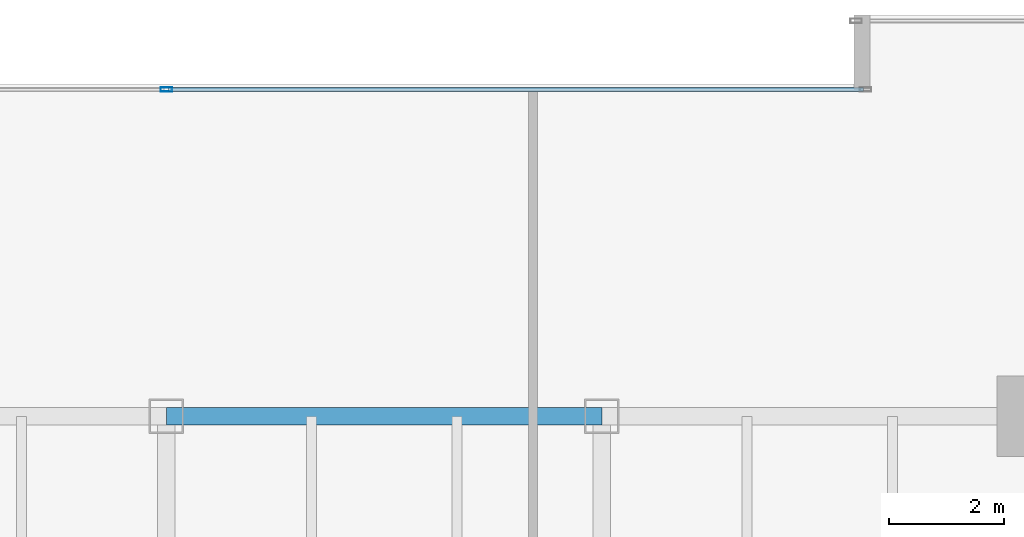
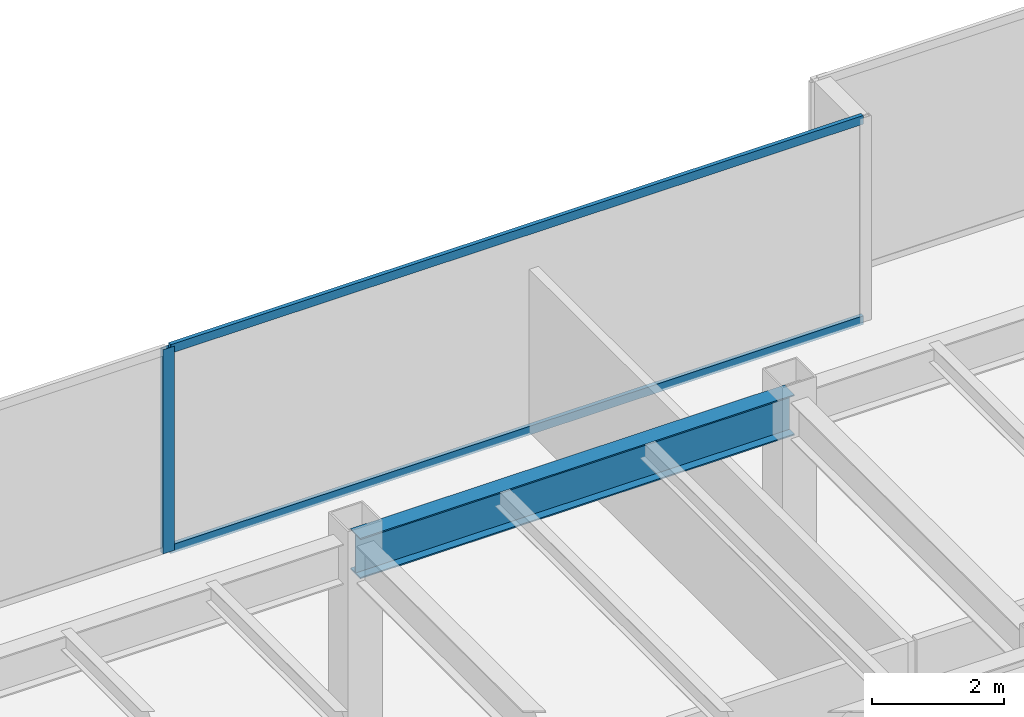
# One storey, part 18 of 35: 3 members, 1 beam, 1 element without a shape of its own.
"""IFC4 building model written with IfcOpenShell, lengths in metres."""

from ifc_helpers import new_model, si_unit, direction, frame, origin, origin_2d, place, context, subcontext, project, spatial, hollow_rectangle, i_section, extrude, source, transform, mapped, material, layer, layer_set, material_profile, profile_set, type_object, type_shapes, element, aggregate, save


model = new_model("IFC4")

# Units and contexts
model_context = context("Model", 3, precision=1e-05, world=origin(), true_north=direction((0.0, 1.0)))
body_context = subcontext(model_context, "Body", "Model", "MODEL_VIEW")
ifc_project = project(units=[si_unit("LENGTHUNIT", "METRE"), si_unit("AREAUNIT", "SQUARE_METRE"), si_unit("VOLUMEUNIT", "CUBIC_METRE"), si_unit("PLANEANGLEUNIT", "RADIAN"), si_unit("MASSUNIT", "GRAM", prefix="KILO")], contexts=[model_context])

# Site, building, storey
site_placement = place(None, origin())
site = spatial("IfcSite", under=ifc_project, at=site_placement, CompositionType="ELEMENT")
building_placement = place(site_placement, origin())
building = spatial("IfcBuilding", under=site, at=building_placement, Name="Haelvirn Gate Laboratories", CompositionType="ELEMENT")
storey_placement = place(building_placement, frame((0.0, 0.0, 41.60009765625)))
storey = spatial("IfcBuildingStorey", under=building, at=storey_placement, Name="L10", CompositionType="ELEMENT", Elevation=41.60009765625)

# Beam
ifc_material_1 = material(Name="Steel SM355", Category="steel")
ifc_material_profile_1 = material_profile(ifc_material_1, i_section(OverallWidth=0.300048828125, OverallDepth=0.75, WebThickness=0.013916015625, FlangeThickness=0.02392578125, at=origin_2d()), Name="H-750x300x14x24")
ifc_profile_set_1 = profile_set([ifc_material_profile_1], Name="Steel SM355")
beam_type = type_object("IfcBeamType", Name="BM-G-750", PredefinedType="BEAM", material=ifc_profile_set_1)
shared_shape_1 = source(origin(), body_context, "Body", "SweptSolid", [
    extrude(i_section(OverallWidth=0.300048828125, OverallDepth=0.75, WebThickness=0.013916015625, FlangeThickness=0.02392578125, at=origin_2d()), origin(), (0.0, 0.0, 1.0), 7.60009765625),
])
type_shapes(beam_type, [shared_shape_1])
beam_placement = place(storey_placement, frame((37.39990234375, 41.60009765625, 3.40478515625), z_axis=(1.0, 0.0, 0.0), x_axis=(0.0, 1.0, 0.0)))
element("IfcBeam", 1, at=beam_placement, inside=storey, type_object=beam_type, Name="L10 Primary Girder Y41.6 (37.4-45.0)", PredefinedType="BEAM", context=body_context, shape_type="MappedRepresentation", body=[
    mapped(shared_shape_1, transform((0.0, 0.0, 0.0), scale=1.0)),
])

# Curtain wall, members
ifc_material_2 = material(Name="Anodised bronze unitised aluminium & triple low-E glass", Category="aluminium")
ifc_layer = layer(ifc_material_2, 0.18408203125, Name="CW-SYS-2")
ifc_layer_set = layer_set([ifc_layer], Name="Anodised bronze unitised aluminium & triple low-E glass")
curtain_wall_type = type_object("IfcCurtainWallType", Name="CW-SYS-2", PredefinedType="NOTDEFINED", material=ifc_layer_set)
curtain_wall_placement = place(storey_placement, origin())
curtain_wall = element("IfcCurtainWall", 2, at=curtain_wall_placement, inside=storey, type_object=curtain_wall_type, Name="L10 Unitised Curtain Wall CW-L10-P0-E12-1", PredefinedType="NOTDEFINED")
ifc_material_3 = material(Name="Extruded aluminium 6063-T6 (anodised bronze)", Category="aluminium")
ifc_material_profile_2 = material_profile(ifc_material_3, hollow_rectangle(XDim=0.070068359375, YDim=0.159912109375, WallThickness=0.0048828125, at=origin_2d()), Name="CWT-160x70x5")
ifc_profile_set_2 = profile_set([ifc_material_profile_2], Name="Extruded aluminium 6063-T6 (anodised bronze)")
member_type_1 = type_object("IfcMemberType", Name="CWT-T160", PredefinedType="USERDEFINED", material=ifc_profile_set_2)
shared_shape_2 = source(origin(), body_context, "Body", "SweptSolid", [
    extrude(hollow_rectangle(XDim=0.070068359375, YDim=0.159912109375, WallThickness=0.0048828125, at=origin_2d()), origin(), (0.0, 0.0, 1.0), 12.12744140625),
])
type_shapes(member_type_1, [shared_shape_2])
member_1_placement = place(storey_placement, frame((37.4375, 47.300048828125, 0.034912109375), z_axis=(1.0, 0.0, 0.0), x_axis=(0.0, 1.0, 0.0)))
member_1 = element("IfcMember", 3, at=member_1_placement, type_object=member_type_1, Name="CW2 transom 2.1", ObjectType="TRANSOM", PredefinedType="USERDEFINED", context=body_context, shape_type="MappedRepresentation", body=[
    mapped(shared_shape_2, transform((0.0, 0.0, 0.0), scale=1.0)),
])
member_2_placement = place(storey_placement, frame((37.4375, 47.300048828125, 3.744873046875), z_axis=(1.0, 0.0, 0.0), x_axis=(0.0, 1.0, 0.0)))
member_2 = element("IfcMember", 4, at=member_2_placement, type_object=member_type_1, Name="CW2 transom 2.2", ObjectType="TRANSOM", PredefinedType="USERDEFINED", context=body_context, shape_type="MappedRepresentation", body=[
    mapped(shared_shape_2, transform((0.0, 0.0, 0.0), scale=1.0)),
])
ifc_material_profile_3 = material_profile(ifc_material_3, hollow_rectangle(XDim=0.074951171875, YDim=0.199951171875, WallThickness=0.0048828125, at=origin_2d()), Name="CWM-200x75x5")
ifc_profile_set_3 = profile_set([ifc_material_profile_3], Name="Extruded aluminium 6063-T6 (anodised bronze)")
member_type_2 = type_object("IfcMemberType", Name="CWM-T200", PredefinedType="MULLION", material=ifc_profile_set_3)
shared_shape_3 = source(origin(), body_context, "Body", "SweptSolid", [
    extrude(hollow_rectangle(XDim=0.074951171875, YDim=0.199951171875, WallThickness=0.0048828125, at=origin_2d()), origin(), (0.0, 0.0, 1.0), 3.77978515625),
])
type_shapes(member_type_2, [shared_shape_3])
member_3_placement = place(storey_placement, frame((37.39990234375, 47.300048828125, 0.0), z_axis=(0.0, 0.0, 1.0), x_axis=(0.0, 1.0, 0.0)))
member_3 = element("IfcMember", 5, at=member_3_placement, type_object=member_type_2, Name="CW2 mullion 2", PredefinedType="MULLION", context=body_context, shape_type="MappedRepresentation", body=[
    mapped(shared_shape_3, transform((0.0, 0.0, 0.0), scale=1.0)),
])
aggregate(curtain_wall, [member_3, member_1, member_2])

save(model, "model.ifc")
